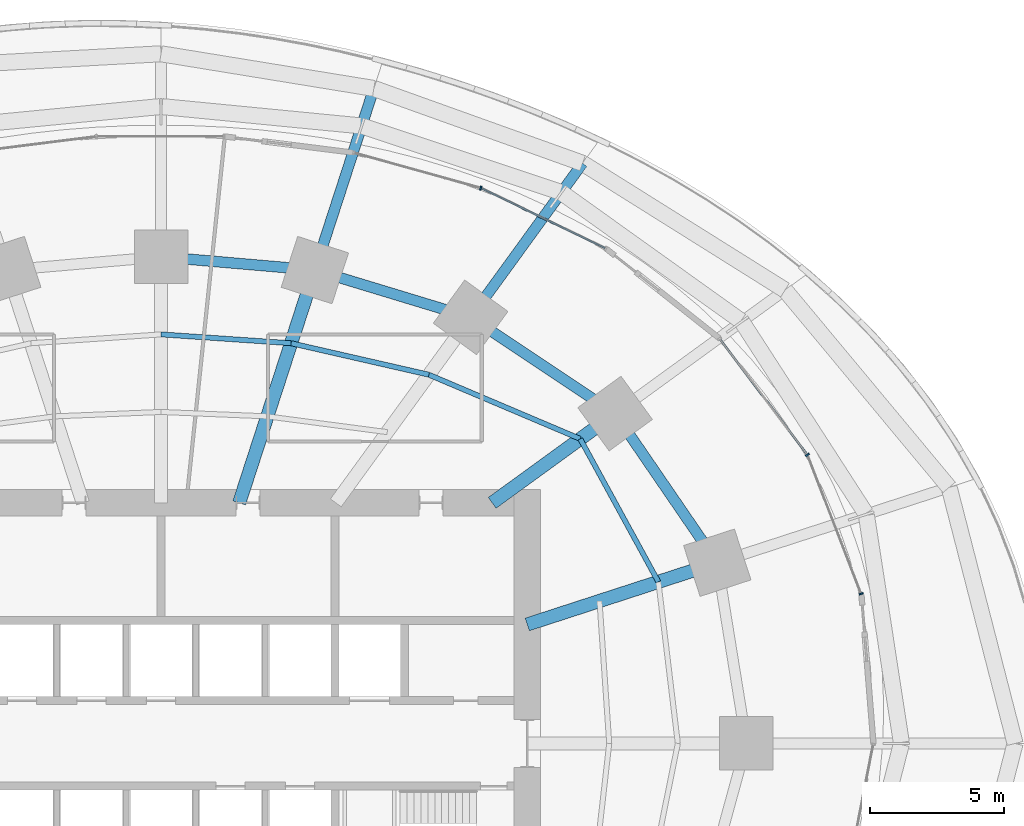
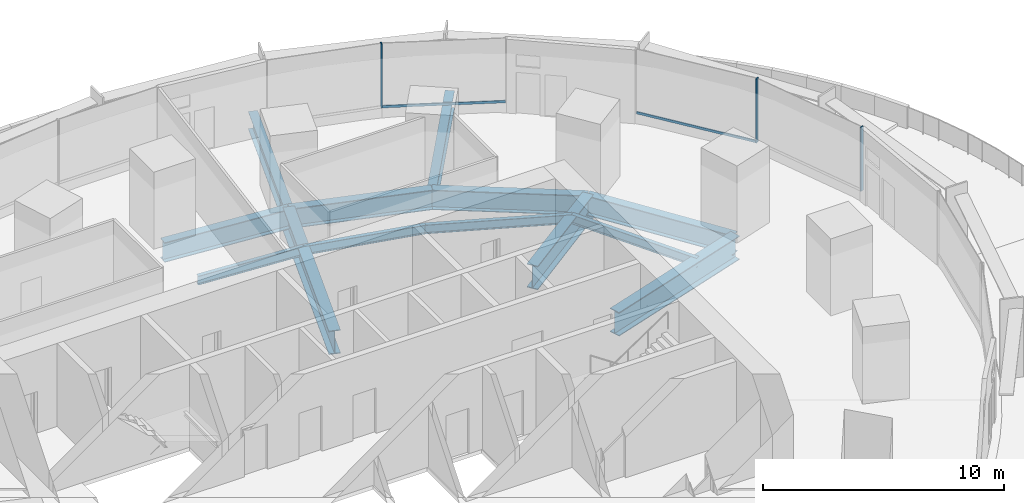
# One storey, part 8 of 20: 13 beams, 5 members, 3 elements without a shape of their own.
"""IFC4 building model written with IfcOpenShell, lengths in metres."""

from ifc_helpers import new_model, si_unit, direction, frame, origin, origin_2d, place, context, subcontext, project, spatial, rectangle, i_section, extrude, material, material_profile, profile_set, type_object, element, aggregate, save


model = new_model("IFC4")

# Units and contexts
model_context = context("Model", 3, precision=1e-05, world=origin(), true_north=direction((0.0, 1.0)))
body_context = subcontext(model_context, "Body", "Model", "MODEL_VIEW")
ifc_project = project(units=[si_unit("LENGTHUNIT", "METRE"), si_unit("AREAUNIT", "SQUARE_METRE"), si_unit("VOLUMEUNIT", "CUBIC_METRE"), si_unit("PLANEANGLEUNIT", "RADIAN"), si_unit("MASSUNIT", "GRAM", prefix="KILO")], contexts=[model_context])

# Site, building, storey
site_placement = place(None, origin())
site = spatial("IfcSite", under=ifc_project, at=site_placement, CompositionType="ELEMENT")
building_placement = place(site_placement, origin())
building = spatial("IfcBuilding", under=site, at=building_placement, Name="Marramba Exchange Tower", CompositionType="ELEMENT")
storey_placement = place(building_placement, frame((0.0, 0.0, 19.60009765625)))
storey = spatial("IfcBuildingStorey", under=building, at=storey_placement, Name="L04", CompositionType="ELEMENT", Elevation=19.60009765625)

# Beams
ifc_material_1 = material(Name="Steel AS/NZS 3679.1 grade 300", Category="steel")
ifc_material_profile_1 = material_profile(ifc_material_1, i_section(OverallWidth=0.18994140625, OverallDepth=0.4541015625, WebThickness=0.008544921875, FlangeThickness=0.0126953125, FilletRadius=0.011474609375, at=origin_2d()), Name="460UB67.1")
ifc_profile_set_1 = profile_set([ifc_material_profile_1], Name="Steel AS/NZS 3679.1 grade 300")
beam_type_1 = type_object("IfcBeamType", Name="Floor joist 460UB67.1", PredefinedType="JOIST", material=ifc_profile_set_1)
beam_1_placement = place(storey_placement, frame((18.60546875, 6.04541015625, -0.427001953125), z_axis=(-0.479584443791, 0.877495732909, 0.0), x_axis=(-0.877495732909, -0.479584443791, 0.0)))
element("IfcBeam", 1, at=beam_1_placement, inside=storey, type_object=beam_type_1, Name="Joist L04 bay 02 row 2", PredefinedType="JOIST", context=body_context, shape_type="SweptSolid", body=[
    extrude(i_section(OverallWidth=0.18994140625, OverallDepth=0.4541015625, WebThickness=0.008544921875, FlangeThickness=0.0126953125, FilletRadius=0.011474609375, at=origin_2d()), origin(), (0.0, 0.0, 1.0), 6.094970703125),
])
beam_2_placement = place(storey_placement, frame((15.682373046875, 11.393798828125, -0.427001953125), z_axis=(-0.920674336375, 0.390331610738, 0.0), x_axis=(-0.390331610738, -0.920674336375, 0.0)))
element("IfcBeam", 2, at=beam_2_placement, inside=storey, type_object=beam_type_1, Name="Joist L04 bay 03 row 2", PredefinedType="JOIST", context=body_context, shape_type="SweptSolid", body=[
    extrude(i_section(OverallWidth=0.18994140625, OverallDepth=0.4541015625, WebThickness=0.008544921875, FlangeThickness=0.0126953125, FilletRadius=0.011474609375, at=origin_2d()), origin(), (0.0, 0.0, 1.0), 6.1484375),
])
beam_3_placement = place(storey_placement, frame((10.021728515625, 13.793701171875, -0.427001953125), z_axis=(-0.974859652292, 0.222819788916, 0.0), x_axis=(-0.222819788916, -0.974859652292, 0.0)))
element("IfcBeam", 3, at=beam_3_placement, inside=storey, type_object=beam_type_1, Name="Joist L04 bay 04 row 2", PredefinedType="JOIST", context=body_context, shape_type="SweptSolid", body=[
    extrude(i_section(OverallWidth=0.18994140625, OverallDepth=0.4541015625, WebThickness=0.008544921875, FlangeThickness=0.0126953125, FilletRadius=0.011474609375, at=origin_2d()), origin(), (0.0, 0.0, 1.0), 5.2900390625),
])
beam_4_placement = place(storey_placement, frame((4.86474609375, 14.972412109375, -0.427001953125), z_axis=(-0.997702652202, 0.067745241816, 0.0), x_axis=(-0.067745241816, -0.997702652202, 0.0)))
element("IfcBeam", 4, at=beam_4_placement, inside=storey, type_object=beam_type_1, Name="Joist L04 bay 05 row 2", PredefinedType="JOIST", context=body_context, shape_type="SweptSolid", body=[
    extrude(i_section(OverallWidth=0.18994140625, OverallDepth=0.4541015625, WebThickness=0.008544921875, FlangeThickness=0.0126953125, FilletRadius=0.011474609375, at=origin_2d()), origin(), (0.0, 0.0, 1.0), 4.8759765625),
])
ifc_material_2 = material(Name="Steel AS/NZS 3679.2 grade 300", Category="steel")
ifc_material_profile_2 = material_profile(ifc_material_2, i_section(OverallWidth=0.5, OverallDepth=1.199951171875, WebThickness=0.01611328125, FlangeThickness=0.0400390625, at=origin_2d()), Name="1200WB455")
ifc_profile_set_2 = profile_set([ifc_material_profile_2], Name="Steel AS/NZS 3679.2 grade 300")
beam_type_2 = type_object("IfcBeamType", Name="Radial girder 1200WB455", PredefinedType="BEAM", material=ifc_profile_set_2)
beam_5_placement = place(storey_placement, frame((13.699951171875, 4.451416015625, -0.800048828125), z_axis=(0.951059990189, 0.309006302624, 0.0), x_axis=(-0.309006302624, 0.951059990189, 0.0)))
element("IfcBeam", 5, at=beam_5_placement, inside=storey, type_object=beam_type_2, Name="Radial girder L04 TC02", PredefinedType="BEAM", context=body_context, shape_type="SweptSolid", body=[
    extrude(i_section(OverallWidth=0.5, OverallDepth=1.199951171875, WebThickness=0.01611328125, FlangeThickness=0.0400390625, at=origin_2d()), origin(), (0.0, 0.0, 1.0), 7.47412109375),
])
beam_6_placement = place(storey_placement, frame((12.387451171875, 9.0, -0.800048828125), z_axis=(0.809025746925, 0.587773205252, 0.0), x_axis=(-0.587773205252, 0.809025746925, 0.0)))
element("IfcBeam", 6, at=beam_6_placement, inside=storey, type_object=beam_type_2, Name="Radial girder L04 TC03", PredefinedType="BEAM", context=body_context, shape_type="SweptSolid", body=[
    extrude(i_section(OverallWidth=0.5, OverallDepth=1.199951171875, WebThickness=0.01611328125, FlangeThickness=0.0400390625, at=origin_2d()), origin(), (0.0, 0.0, 1.0), 5.683837890625),
])
beam_7_placement = place(storey_placement, frame((2.92431640625, 9.0, -0.800048828125), z_axis=(0.309019754162, 0.951055619582, 0.0), x_axis=(-0.951055619582, 0.309019754162, 0.0)))
element("IfcBeam", 7, at=beam_7_placement, inside=storey, type_object=beam_type_2, Name="Radial girder L04 TC05", PredefinedType="BEAM", context=body_context, shape_type="SweptSolid", body=[
    extrude(i_section(OverallWidth=0.5, OverallDepth=1.199951171875, WebThickness=0.01611328125, FlangeThickness=0.0400390625, at=origin_2d()), origin(), (0.0, 0.0, 1.0), 9.15673828125),
])
ifc_material_profile_3 = material_profile(ifc_material_2, i_section(OverallWidth=0.39990234375, OverallDepth=0.89990234375, WebThickness=0.01611328125, FlangeThickness=0.031982421875, at=origin_2d()), Name="900WB282")
ifc_profile_set_3 = profile_set([ifc_material_profile_3], Name="Steel AS/NZS 3679.2 grade 300")
beam_type_3 = type_object("IfcBeamType", Name="Radial girder 900WB282", PredefinedType="BEAM", material=ifc_profile_set_3)
beam_8_placement = place(storey_placement, frame((15.769775390625, 21.705078125, -0.7001953125), z_axis=(-0.587804937429, -0.80900269192, 0.0), x_axis=(0.80900269192, -0.587804937429, 0.0)))
element("IfcBeam", 8, at=beam_8_placement, inside=storey, type_object=beam_type_3, Name="Radial girder L04 P3C04", PredefinedType="BEAM", context=body_context, shape_type="SweptSolid", body=[
    extrude(i_section(OverallWidth=0.39990234375, OverallDepth=0.89990234375, WebThickness=0.01611328125, FlangeThickness=0.031982421875, at=origin_2d()), origin(), (0.0, 0.0, 1.0), 7.125732421875),
])
beam_9_placement = place(storey_placement, frame((7.9619140625, 24.50390625, -0.7001953125), z_axis=(-0.309022717386, -0.951054656757, 0.0), x_axis=(0.951054656757, -0.309022717386, 0.0)))
element("IfcBeam", 9, at=beam_9_placement, inside=storey, type_object=beam_type_3, Name="Radial girder L04 P3C05", PredefinedType="BEAM", context=body_context, shape_type="SweptSolid", body=[
    extrude(i_section(OverallWidth=0.39990234375, OverallDepth=0.89990234375, WebThickness=0.01611328125, FlangeThickness=0.031982421875, at=origin_2d()), origin(), (0.0, 0.0, 1.0), 7.14501953125),
])
ifc_material_profile_4 = material_profile(ifc_material_2, i_section(OverallWidth=0.39990234375, OverallDepth=1.0, WebThickness=0.01611328125, FlangeThickness=0.031982421875, at=origin_2d()), Name="1000WB322")
ifc_profile_set_4 = profile_set([ifc_material_profile_4], Name="Steel AS/NZS 3679.2 grade 300")
beam_type_4 = type_object("IfcBeamType", Name="Ring beam 1000WB322", PredefinedType="SPANDREL", material=ifc_profile_set_4)
beam_10_placement = place(storey_placement, frame((20.808349609375, 6.760986328125, -0.7001953125), z_axis=(-0.56516002054, 0.824981303535, 0.0), x_axis=(-0.824981303535, -0.56516002054, 0.0)))
element("IfcBeam", 10, at=beam_10_placement, inside=storey, type_object=beam_type_4, Name="Ring beam L04 TC02-TC03", PredefinedType="SPANDREL", context=body_context, shape_type="SweptSolid", body=[
    extrude(i_section(OverallWidth=0.39990234375, OverallDepth=1.0, WebThickness=0.01611328125, FlangeThickness=0.031982421875, at=origin_2d()), origin(), (0.0, 0.0, 1.0), 6.763671875),
])
beam_11_placement = place(storey_placement, frame((16.98583984375, 12.3408203125, -0.7001953125), z_axis=(-0.832293151443, 0.554335737673, 0.0), x_axis=(-0.554335737673, -0.832293151443, 0.0)))
element("IfcBeam", 11, at=beam_11_placement, inside=storey, type_object=beam_type_4, Name="Ring beam L04 TC03-TC04", PredefinedType="SPANDREL", context=body_context, shape_type="SweptSolid", body=[
    extrude(i_section(OverallWidth=0.39990234375, OverallDepth=1.0, WebThickness=0.01611328125, FlangeThickness=0.031982421875, at=origin_2d()), origin(), (0.0, 0.0, 1.0), 6.49365234375),
])
beam_12_placement = place(storey_placement, frame((11.581298828125, 15.9404296875, -0.7001953125), z_axis=(-0.956924542524, 0.290336735387, 0.0), x_axis=(-0.290336735387, -0.956924542524, 0.0)))
element("IfcBeam", 12, at=beam_12_placement, inside=storey, type_object=beam_type_4, Name="Ring beam L04 TC04-TC05", PredefinedType="SPANDREL", context=body_context, shape_type="SweptSolid", body=[
    extrude(i_section(OverallWidth=0.39990234375, OverallDepth=1.0, WebThickness=0.01611328125, FlangeThickness=0.031982421875, at=origin_2d()), origin(), (0.0, 0.0, 1.0), 6.089599609375),
])
beam_13_placement = place(storey_placement, frame((5.75390625, 17.70849609375, -0.7001953125), z_axis=(-0.996311003275, 0.085815993578, 0.0), x_axis=(-0.085815993578, -0.996311003275, 0.0)))
element("IfcBeam", 13, at=beam_13_placement, inside=storey, type_object=beam_type_4, Name="Ring beam L04 TC05-TC06", PredefinedType="SPANDREL", context=body_context, shape_type="SweptSolid", body=[
    extrude(i_section(OverallWidth=0.39990234375, OverallDepth=1.0, WebThickness=0.01611328125, FlangeThickness=0.031982421875, at=origin_2d()), origin(), (0.0, 0.0, 1.0), 5.775146484375),
])

# Curtain wall, members
ifc_material_3 = material(Name="Aluminium framing, bronze anodised", Category="aluminium")
curtain_wall_type = type_object("IfcCurtainWallType", Name="Trading floor ribbon curtain wall", PredefinedType="USERDEFINED", material=ifc_material_3)
curtain_wall_1_placement = place(storey_placement, origin())
curtain_wall_1 = element("IfcCurtainWall", 14, at=curtain_wall_1_placement, inside=storey, type_object=curtain_wall_type, Name="Curtain wall CW3 L04 F02-F03", ObjectType="RIBBON CURTAIN WALL", PredefinedType="USERDEFINED")
ifc_material_4 = material(Name="Aluminium mullion, bronze anodised", Category="aluminium")
ifc_material_profile_5 = material_profile(ifc_material_4, rectangle(XDim=0.159912109375, YDim=0.06005859375, at=origin_2d()), Name="CW3 mullion 60x160")
ifc_profile_set_5 = profile_set([ifc_material_profile_5], Name="Aluminium mullion, bronze anodised")
member_type_1 = type_object("IfcMemberType", Name="Trading floor ribbon curtain wall mullion", PredefinedType="MULLION", material=ifc_profile_set_5)
member_1_placement = place(storey_placement, frame((26.190673828125, 5.597412109375, 0.7998046875), z_axis=(0.0, 0.0, 1.0), x_axis=(-0.933135256626, -0.359525510698, 0.0)))
member_1 = element("IfcMember", 15, at=member_1_placement, type_object=member_type_1, Name="CW3 mullion 1", PredefinedType="MULLION", context=body_context, shape_type="SweptSolid", body=[
    extrude(rectangle(XDim=0.159912109375, YDim=0.06005859375, at=origin_2d()), origin(), (0.0, 0.0, 1.0), 3.239990234375),
])
member_2_placement = place(storey_placement, frame((24.178466796875, 10.796875, 0.7998046875), z_axis=(0.0, 0.0, 1.0), x_axis=(-0.797748922445, -0.602989765036, 0.0)))
member_2 = element("IfcMember", 16, at=member_2_placement, type_object=member_type_1, Name="CW3 mullion 1", PredefinedType="MULLION", context=body_context, shape_type="SweptSolid", body=[
    extrude(rectangle(XDim=0.159912109375, YDim=0.06005859375, at=origin_2d()), origin(), (0.0, 0.0, 1.0), 3.239990234375),
])

# Curtain wall, member
curtain_wall_2_placement = place(storey_placement, origin())
curtain_wall_2 = element("IfcCurtainWall", 17, at=curtain_wall_2_placement, inside=storey, type_object=curtain_wall_type, Name="Curtain wall CW3 L04 F06", ObjectType="RIBBON CURTAIN WALL", PredefinedType="USERDEFINED")
member_3_placement = place(storey_placement, frame((11.96044921875, 20.774169921875, 0.7998046875), z_axis=(0.0, 0.0, 1.0), x_axis=(-0.267808735815, -0.963472096649, 0.0)))
member_3 = element("IfcMember", 18, at=member_3_placement, type_object=member_type_1, Name="CW3 mullion 1", PredefinedType="MULLION", context=body_context, shape_type="SweptSolid", body=[
    extrude(rectangle(XDim=0.159912109375, YDim=0.06005859375, at=origin_2d()), origin(), (0.0, 0.0, 1.0), 3.239990234375),
])
aggregate(curtain_wall_2, [member_3])

# Member
ifc_material_5 = material(Name="Aluminium transom, bronze anodised", Category="aluminium")
ifc_material_profile_6 = material_profile(ifc_material_5, rectangle(XDim=0.06005859375, YDim=0.1201171875, at=origin_2d()), Name="CW3 transom 60x120")
ifc_profile_set_6 = profile_set([ifc_material_profile_6], Name="Aluminium transom, bronze anodised")
member_type_2 = type_object("IfcMemberType", Name="Trading floor ribbon curtain wall transom", PredefinedType="USERDEFINED", material=ifc_profile_set_6)
member_4_placement = place(storey_placement, frame((24.160400390625, 10.82080078125, 0.829833984375), z_axis=(-0.602990130051, 0.797748646543, 0.0), x_axis=(-0.797748646543, -0.602990130051, 0.0)))
member_4 = element("IfcMember", 19, at=member_4_placement, type_object=member_type_2, Name="CW3 sill transom", ObjectType="TRANSOM", PredefinedType="USERDEFINED", context=body_context, shape_type="SweptSolid", body=[
    extrude(rectangle(XDim=0.06005859375, YDim=0.1201171875, at=origin_2d()), origin(), (0.0, 0.0, 1.0), 5.3876953125),
])

aggregate(curtain_wall_1, [member_1, member_2, member_4])

# Curtain wall, member
curtain_wall_3_placement = place(storey_placement, origin())
curtain_wall_3 = element("IfcCurtainWall", 20, at=curtain_wall_3_placement, inside=storey, type_object=curtain_wall_type, Name="Curtain wall CW3 L04 F05", ObjectType="RIBBON CURTAIN WALL", PredefinedType="USERDEFINED")
member_5_placement = place(storey_placement, frame((16.6064453125, 18.529296875, 0.829833984375), z_axis=(-0.89995331781, 0.43598626786, 0.0), x_axis=(-0.43598626786, -0.89995331781, 0.0)))
member_5 = element("IfcMember", 21, at=member_5_placement, type_object=member_type_2, Name="CW3 sill transom", ObjectType="TRANSOM", PredefinedType="USERDEFINED", context=body_context, shape_type="SweptSolid", body=[
    extrude(rectangle(XDim=0.06005859375, YDim=0.1201171875, at=origin_2d()), origin(), (0.0, 0.0, 1.0), 5.13037109375),
])
aggregate(curtain_wall_3, [member_5])

save(model, "model.ifc")
